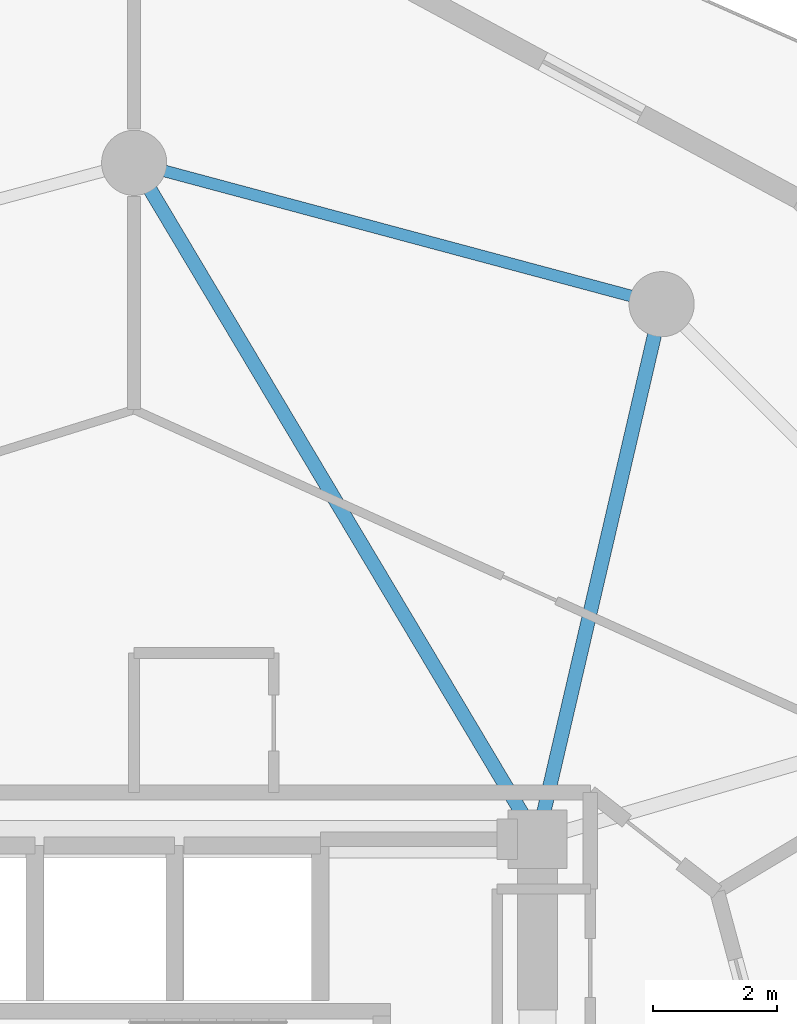
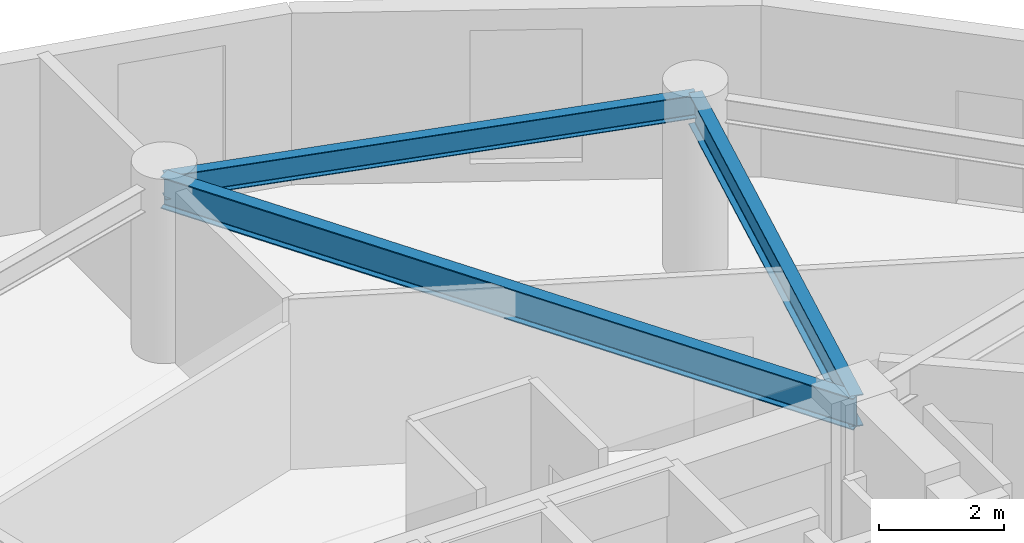
# One storey, part 17 of 25: 3 beams.
"""IFC4 building model written with IfcOpenShell, lengths in metres."""

import ifcopenshell
import ifcopenshell.guid

model = None  # the IFC model being written
_history = None  # IfcOwnerHistory: only IFC2X3 demands one
_inside = {}  # id of a spatial element -> (the spatial element, [elements in it])
_under = {}  # id of a project, library or spatial element -> (it, [spatial elements below it])
_declared = {}  # id of a project -> (the project, [libraries it declares])
_typed = {}  # id of a type object -> (the type object, [elements of that type])
_made_of = {}  # id of a material, layer set ... -> (it, [elements and type objects made of it])


def new_model(schema):
    """Start an empty IFC model of exactly this schema.

    Asked for "IFC4X3", IfcOpenShell would pick the latest addendum, in which some entities
    have other attributes; the version numbers below select the first issue.
    IFC2X3 requires an IfcOwnerHistory on every rooted entity: one is made here for all.
    """
    global model, _history
    if schema == "IFC4X3":
        model = ifcopenshell.file(schema_version=(4, 3, 0, 0))
    else:
        model = ifcopenshell.file(schema=schema)
    _inside.clear()
    _under.clear()
    _declared.clear()
    _typed.clear()
    _made_of.clear()
    _history = None
    if model.schema == "IFC2X3":
        org = make("IfcOrganization", Name="unknown")
        user = make(
            "IfcPersonAndOrganization",
            ThePerson=make("IfcPerson", FamilyName="unknown"),
            TheOrganization=org,
        )
        app = make(
            "IfcApplication",
            ApplicationDeveloper=org,
            Version="unknown",
            ApplicationFullName="unknown",
            ApplicationIdentifier="unknown",
        )
        _history = make(
            "IfcOwnerHistory",
            OwningUser=user,
            OwningApplication=app,
            ChangeAction="ADDED",
            CreationDate=0,
        )
    return model


def make(cls, **values):
    """One entity of the class cls with the attributes given. An attribute that is None is left unset."""
    return model.create_entity(
        cls, **{name: value for name, value in values.items() if value is not None}
    )


def rooted(cls, **values):
    """An entity with a GlobalId (a new one), such as an element, a storey or a relation."""
    return make(cls, GlobalId=ifcopenshell.guid.new(), OwnerHistory=_history, **values)


def si_unit(unit_type, name, prefix=None):
    """IfcSIUnit, for example si_unit("LENGTHUNIT", "METRE", prefix="MILLI")."""
    return make("IfcSIUnit", UnitType=unit_type, Prefix=prefix, Name=name)


def assignment(units):
    """IfcUnitAssignment: the units of a project."""
    return None if units is None else make("IfcUnitAssignment", Units=units)


def point(xyz):
    """IfcCartesianPoint."""
    return None if xyz is None else make("IfcCartesianPoint", Coordinates=xyz)


def direction(xyz):
    """IfcDirection."""
    return None if xyz is None else make("IfcDirection", DirectionRatios=xyz)


def frame(location, z_axis=None, x_axis=None):
    """IfcAxis2Placement3D, a coordinate frame: its origin and axes. An axis left out is left unset."""
    return make(
        "IfcAxis2Placement3D",
        Location=point(location),
        Axis=direction(z_axis),
        RefDirection=direction(x_axis),
    )


def frame_2d(location, x_axis=None):
    """IfcAxis2Placement2D, a coordinate frame in the plane: its origin and x axis."""
    return make(
        "IfcAxis2Placement2D", Location=point(location), RefDirection=direction(x_axis)
    )


def origin():
    """The frame at (0, 0, 0) with its axes left unset."""
    return frame((0.0, 0.0, 0.0))


def origin_2d():
    """The frame at (0, 0) in the plane with its x axis left unset."""
    return frame_2d((0.0, 0.0))


def place(relative_to, where):
    """IfcLocalPlacement: puts the frame where relative to a parent placement (None: the world)."""
    return make(
        "IfcLocalPlacement", PlacementRelTo=relative_to, RelativePlacement=where
    )


def context(
    kind, dimensions, precision=None, world=None, true_north=None, identifier=None
):
    """IfcGeometricRepresentationContext, for example the 3D "Model" context."""
    return make(
        "IfcGeometricRepresentationContext",
        ContextIdentifier=identifier,
        ContextType=kind,
        CoordinateSpaceDimension=dimensions,
        Precision=precision,
        WorldCoordinateSystem=world,
        TrueNorth=true_north,
    )


def subcontext(parent, identifier, kind, view, scale=None):
    """IfcGeometricRepresentationSubContext, for example "Body" below "Model"."""
    return make(
        "IfcGeometricRepresentationSubContext",
        ContextIdentifier=identifier,
        ContextType=kind,
        ParentContext=parent,
        TargetScale=scale,
        TargetView=view,
    )


def project(units=None, contexts=None):
    """IfcProject with its units and contexts."""
    return rooted(
        "IfcProject",
        Name="project",
        RepresentationContexts=contexts,
        UnitsInContext=assignment(units),
    )


def spatial(cls, under=None, at=None, **own):
    """A site, building, storey or space (cls), placed at a placement, below another one or the project."""
    s = rooted(cls, ObjectPlacement=at, **own)
    if under is not None:
        _under.setdefault(under.id(), (under, []))[1].append(s)
    return s


def profile(cls, at=None, kind="AREA", **sizes):
    """A parametric profile (cls). Its sizes go by their IFC names, for example OverallWidth=200.0."""
    return make(cls, ProfileType=kind, Position=at, **sizes)


def i_section(**sizes):
    """IfcIShapeProfileDef."""
    return profile("IfcIShapeProfileDef", **sizes)


def extrude(swept, where, along, depth):
    """IfcExtrudedAreaSolid: the profile swept, set in the frame where, extruded along a direction by depth."""
    return make(
        "IfcExtrudedAreaSolid",
        SweptArea=swept,
        Position=where,
        ExtrudedDirection=direction(along),
        Depth=depth,
    )


def shape(context_of_items, identifier, shape_type, items):
    """IfcShapeRepresentation: the items that make up one representation, for example the "Body"."""
    return make(
        "IfcShapeRepresentation",
        ContextOfItems=context_of_items,
        RepresentationIdentifier=identifier,
        RepresentationType=shape_type,
        Items=items,
    )


def material(Name=None, Category=None):
    """IfcMaterial."""
    return make("IfcMaterial", Name=Name, Category=Category)


def material_profile(
    of_material, cross_section, Name=None, Category=None, Priority=None
):
    """IfcMaterialProfile: a cross section and its material."""
    return make(
        "IfcMaterialProfile",
        Name=Name,
        Material=of_material,
        Profile=cross_section,
        Priority=Priority,
        Category=Category,
    )


def profile_set(profiles, Name=None, composite=None):
    """IfcMaterialProfileSet."""
    return make(
        "IfcMaterialProfileSet",
        Name=Name,
        MaterialProfiles=profiles,
        CompositeProfile=composite,
    )


def made_of(thing, what):
    """Note that an element or type object is made of a material, layer set ...; save() writes the relation."""
    if what is not None:
        _made_of.setdefault(what.id(), (what, []))[1].append(thing)
    return thing


def type_object(cls, material=None, **own):
    """A type object (cls), such as IfcWallType, which elements share."""
    return made_of(rooted(cls, **own), material)


def element(
    cls,
    number,
    at=None,
    inside=None,
    cuts=None,
    type_object=None,
    material=None,
    context=None,
    identifier="Body",
    shape_type=None,
    held_by="IfcProductDefinitionShape",
    body=None,
    shapes=None,
    **own,
):
    """One element of the class cls, such as IfcWall. Its Tag is "e" and its number.

    at: its placement. inside: the storey or other place that contains it. cuts: it is an
    opening in that element (IfcRelVoidsElement). A single representation is given by context,
    identifier, shape_type and body (its items); several are given by shapes. held_by: the class
    of the entity that holds the representations. save() writes the other relations.
    """
    e = rooted(cls, Tag="e%d" % number, ObjectPlacement=at, **own)
    if body is not None:
        shapes = [shape(context, identifier, shape_type, body)]
    if shapes is not None:
        e.Representation = make(held_by, Representations=shapes)
    if inside is not None:
        _inside.setdefault(inside.id(), (inside, []))[1].append(e)
    if cuts is not None:
        rooted(
            "IfcRelVoidsElement", RelatingBuildingElement=cuts, RelatedOpeningElement=e
        )
    if type_object is not None:
        _typed.setdefault(type_object.id(), (type_object, []))[1].append(e)
    return made_of(e, material)


def aggregate(whole, parts):
    """IfcRelAggregates: a whole, such as a stair, and the parts it consists of."""
    return rooted("IfcRelAggregates", RelatingObject=whole, RelatedObjects=parts)


def save(model, path):
    """Write the relations noted so far, then the file.

    IfcRelAggregates (storeys below a building ...), IfcRelContainedInSpatialStructure (elements
    in a storey), IfcRelDefinesByType, IfcRelAssociatesMaterial and IfcRelDeclares: one each for
    every whole, place, type object, material and project.
    """
    for whole, parts in _under.values():
        aggregate(whole, parts)
    for where, things in _inside.values():
        rooted(
            "IfcRelContainedInSpatialStructure",
            RelatedElements=things,
            RelatingStructure=where,
        )
    for kind, things in _typed.values():
        rooted("IfcRelDefinesByType", RelatedObjects=things, RelatingType=kind)
    for what, things in _made_of.values():
        rooted("IfcRelAssociatesMaterial", RelatedObjects=things, RelatingMaterial=what)
    for by, libraries in _declared.values():
        rooted("IfcRelDeclares", RelatingContext=by, RelatedDefinitions=libraries)
    model.write(path)


model = new_model("IFC4")

# Units and contexts
model_context = context("Model", 3, precision=1e-05, world=origin(), true_north=direction((0.0, 1.0)))
body_context = subcontext(model_context, "Body", "Model", "MODEL_VIEW")
ifc_project = project(units=[si_unit("LENGTHUNIT", "METRE"), si_unit("AREAUNIT", "SQUARE_METRE"), si_unit("VOLUMEUNIT", "CUBIC_METRE"), si_unit("PLANEANGLEUNIT", "RADIAN"), si_unit("MASSUNIT", "GRAM", prefix="KILO")], contexts=[model_context])

# Site, building, storey
site_placement = place(None, origin())
site = spatial("IfcSite", under=ifc_project, at=site_placement, CompositionType="ELEMENT")
building_placement = place(site_placement, origin())
building = spatial("IfcBuilding", under=site, at=building_placement, Name="Solvirekh Grand Hotel", CompositionType="ELEMENT")
storey_placement = place(building_placement, frame((0.0, 0.0, 120.60009765625)))
storey = spatial("IfcBuildingStorey", under=building, at=storey_placement, Name="L30", CompositionType="ELEMENT", Elevation=120.60009765625)

# Beams
ifc_material = material(Name="Steel S355", Category="steel")
ifc_material_profile_1 = material_profile(ifc_material, i_section(OverallWidth=0.22802734375, OverallDepth=0.616943359375, WebThickness=0.012939453125, FlangeThickness=0.02001953125, FilletRadius=0.014892578125, at=origin_2d()), Name="W610X140")
ifc_profile_set_1 = profile_set([ifc_material_profile_1], Name="Steel S355")
beam_type_1 = type_object("IfcBeamType", Name="Beam_Radial_W610", PredefinedType="BEAM", material=ifc_profile_set_1)
beam_1_placement = place(storey_placement, frame((6.5, 6.10009765625, 3.0419921875), z_axis=(0.225969390542, 0.974134402707, 0.0), x_axis=(-0.974134402707, 0.225969390542, 0.0)))
element("IfcBeam", 1, at=beam_1_placement, inside=storey, type_object=beam_type_1, Name="L30 radial floor beam R03", PredefinedType="BEAM", context=body_context, shape_type="SweptSolid", body=[
    extrude(i_section(OverallWidth=0.22802734375, OverallDepth=0.616943359375, WebThickness=0.012939453125, FlangeThickness=0.02001953125, FilletRadius=0.014892578125, at=origin_2d()), origin(), (0.0, 0.0, 1.0), 8.850830078125),
])
beam_2_placement = place(storey_placement, frame((6.5, 6.10009765625, 3.0419921875), z_axis=(-0.512179721377, 0.858878299301, 0.0), x_axis=(-0.858878299301, -0.512179721377, 0.0)))
element("IfcBeam", 2, at=beam_2_placement, inside=storey, type_object=beam_type_1, Name="L30 radial floor beam R04", PredefinedType="BEAM", context=body_context, shape_type="SweptSolid", body=[
    extrude(i_section(OverallWidth=0.22802734375, OverallDepth=0.616943359375, WebThickness=0.012939453125, FlangeThickness=0.02001953125, FilletRadius=0.014892578125, at=origin_2d()), origin(), (0.0, 0.0, 1.0), 12.69091796875),
])
ifc_material_profile_2 = material_profile(ifc_material, i_section(OverallWidth=0.18994140625, OverallDepth=0.45703125, WebThickness=0.009033203125, FlangeThickness=0.013916015625, FilletRadius=0.012939453125, at=origin_2d()), Name="W460X74")
ifc_profile_set_2 = profile_set([ifc_material_profile_2], Name="Steel S355")
beam_type_2 = type_object("IfcBeamType", Name="Spandrel_Ring_W460", PredefinedType="SPANDREL", material=ifc_profile_set_2)
beam_3_placement = place(storey_placement, frame((8.5, 14.721923828125, 3.121826171875), z_axis=(-0.965911391906, 0.258872908946, 0.0), x_axis=(-0.258872908946, -0.965911391906, 0.0)))
element("IfcBeam", 3, at=beam_3_placement, inside=storey, type_object=beam_type_2, Name="L30 perimeter spandrel beam 3", PredefinedType="SPANDREL", context=body_context, shape_type="SweptSolid", body=[
    extrude(i_section(OverallWidth=0.18994140625, OverallDepth=0.45703125, WebThickness=0.009033203125, FlangeThickness=0.013916015625, FilletRadius=0.012939453125, at=origin_2d()), origin(), (0.0, 0.0, 1.0), 8.800048828125),
])

save(model, "model.ifc")
